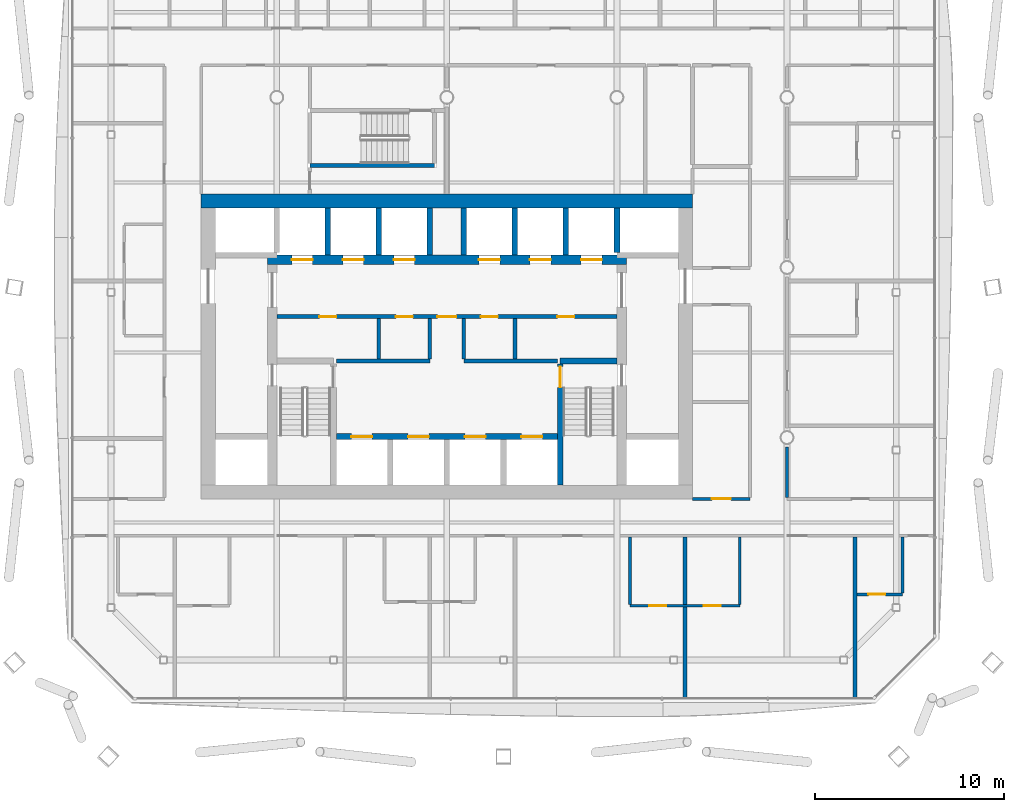
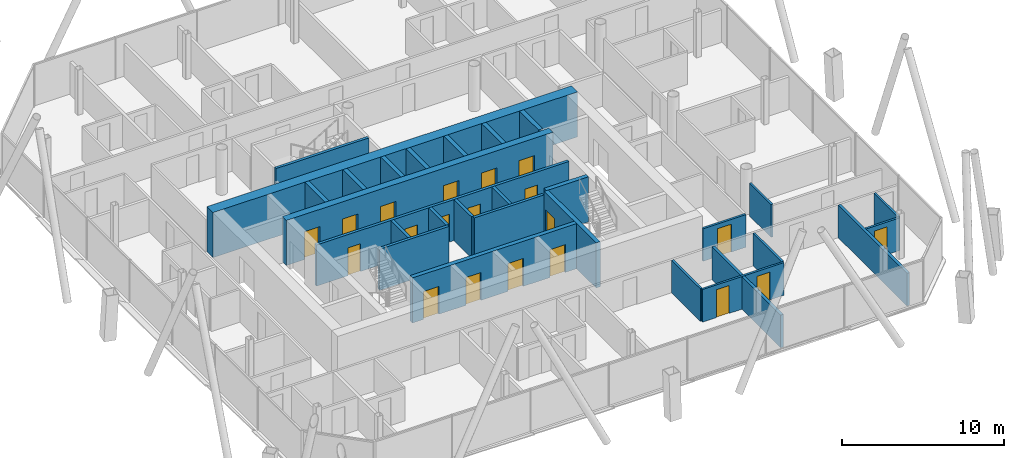
# One storey, part 15 of 23: 29 walls, 20 doors, 20 openings.
"""IFC4 building model written with IfcOpenShell, lengths in metres."""

import ifcopenshell
import ifcopenshell.guid

model = None  # the IFC model being written
_history = None  # IfcOwnerHistory: only IFC2X3 demands one
_inside = {}  # id of a spatial element -> (the spatial element, [elements in it])
_under = {}  # id of a project, library or spatial element -> (it, [spatial elements below it])
_declared = {}  # id of a project -> (the project, [libraries it declares])
_typed = {}  # id of a type object -> (the type object, [elements of that type])
_made_of = {}  # id of a material, layer set ... -> (it, [elements and type objects made of it])


def new_model(schema):
    """Start an empty IFC model of exactly this schema.

    Asked for "IFC4X3", IfcOpenShell would pick the latest addendum, in which some entities
    have other attributes; the version numbers below select the first issue.
    IFC2X3 requires an IfcOwnerHistory on every rooted entity: one is made here for all.
    """
    global model, _history
    if schema == "IFC4X3":
        model = ifcopenshell.file(schema_version=(4, 3, 0, 0))
    else:
        model = ifcopenshell.file(schema=schema)
    _inside.clear()
    _under.clear()
    _declared.clear()
    _typed.clear()
    _made_of.clear()
    _history = None
    if model.schema == "IFC2X3":
        org = make("IfcOrganization", Name="unknown")
        user = make(
            "IfcPersonAndOrganization",
            ThePerson=make("IfcPerson", FamilyName="unknown"),
            TheOrganization=org,
        )
        app = make(
            "IfcApplication",
            ApplicationDeveloper=org,
            Version="unknown",
            ApplicationFullName="unknown",
            ApplicationIdentifier="unknown",
        )
        _history = make(
            "IfcOwnerHistory",
            OwningUser=user,
            OwningApplication=app,
            ChangeAction="ADDED",
            CreationDate=0,
        )
    return model


def make(cls, **values):
    """One entity of the class cls with the attributes given. An attribute that is None is left unset."""
    return model.create_entity(
        cls, **{name: value for name, value in values.items() if value is not None}
    )


def rooted(cls, **values):
    """An entity with a GlobalId (a new one), such as an element, a storey or a relation."""
    return make(cls, GlobalId=ifcopenshell.guid.new(), OwnerHistory=_history, **values)


def si_unit(unit_type, name, prefix=None):
    """IfcSIUnit, for example si_unit("LENGTHUNIT", "METRE", prefix="MILLI")."""
    return make("IfcSIUnit", UnitType=unit_type, Prefix=prefix, Name=name)


def assignment(units):
    """IfcUnitAssignment: the units of a project."""
    return None if units is None else make("IfcUnitAssignment", Units=units)


def point(xyz):
    """IfcCartesianPoint."""
    return None if xyz is None else make("IfcCartesianPoint", Coordinates=xyz)


def direction(xyz):
    """IfcDirection."""
    return None if xyz is None else make("IfcDirection", DirectionRatios=xyz)


def frame(location, z_axis=None, x_axis=None):
    """IfcAxis2Placement3D, a coordinate frame: its origin and axes. An axis left out is left unset."""
    return make(
        "IfcAxis2Placement3D",
        Location=point(location),
        Axis=direction(z_axis),
        RefDirection=direction(x_axis),
    )


def frame_2d(location, x_axis=None):
    """IfcAxis2Placement2D, a coordinate frame in the plane: its origin and x axis."""
    return make(
        "IfcAxis2Placement2D", Location=point(location), RefDirection=direction(x_axis)
    )


def origin():
    """The frame at (0, 0, 0) with its axes left unset."""
    return frame((0.0, 0.0, 0.0))


def place(relative_to, where):
    """IfcLocalPlacement: puts the frame where relative to a parent placement (None: the world)."""
    return make(
        "IfcLocalPlacement", PlacementRelTo=relative_to, RelativePlacement=where
    )


def context(
    kind, dimensions, precision=None, world=None, true_north=None, identifier=None
):
    """IfcGeometricRepresentationContext, for example the 3D "Model" context."""
    return make(
        "IfcGeometricRepresentationContext",
        ContextIdentifier=identifier,
        ContextType=kind,
        CoordinateSpaceDimension=dimensions,
        Precision=precision,
        WorldCoordinateSystem=world,
        TrueNorth=true_north,
    )


def subcontext(parent, identifier, kind, view, scale=None):
    """IfcGeometricRepresentationSubContext, for example "Body" below "Model"."""
    return make(
        "IfcGeometricRepresentationSubContext",
        ContextIdentifier=identifier,
        ContextType=kind,
        ParentContext=parent,
        TargetScale=scale,
        TargetView=view,
    )


def project(units=None, contexts=None):
    """IfcProject with its units and contexts."""
    return rooted(
        "IfcProject",
        Name="project",
        RepresentationContexts=contexts,
        UnitsInContext=assignment(units),
    )


def spatial(cls, under=None, at=None, **own):
    """A site, building, storey or space (cls), placed at a placement, below another one or the project."""
    s = rooted(cls, ObjectPlacement=at, **own)
    if under is not None:
        _under.setdefault(under.id(), (under, []))[1].append(s)
    return s


def profile(cls, at=None, kind="AREA", **sizes):
    """A parametric profile (cls). Its sizes go by their IFC names, for example OverallWidth=200.0."""
    return make(cls, ProfileType=kind, Position=at, **sizes)


def rectangle(**sizes):
    """IfcRectangleProfileDef."""
    return profile("IfcRectangleProfileDef", **sizes)


def extrude(swept, where, along, depth):
    """IfcExtrudedAreaSolid: the profile swept, set in the frame where, extruded along a direction by depth."""
    return make(
        "IfcExtrudedAreaSolid",
        SweptArea=swept,
        Position=where,
        ExtrudedDirection=direction(along),
        Depth=depth,
    )


def shape(context_of_items, identifier, shape_type, items):
    """IfcShapeRepresentation: the items that make up one representation, for example the "Body"."""
    return make(
        "IfcShapeRepresentation",
        ContextOfItems=context_of_items,
        RepresentationIdentifier=identifier,
        RepresentationType=shape_type,
        Items=items,
    )


def material(Name=None, Category=None):
    """IfcMaterial."""
    return make("IfcMaterial", Name=Name, Category=Category)


def layer(
    of_material, thickness, ventilated=None, Name=None, Category=None, Priority=None
):
    """IfcMaterialLayer: one layer of a wall or slab, of a material (None: an air gap)."""
    return make(
        "IfcMaterialLayer",
        Material=of_material,
        LayerThickness=thickness,
        IsVentilated=ventilated,
        Name=Name,
        Category=Category,
        Priority=Priority,
    )


def layer_set(layers, Name=None):
    """IfcMaterialLayerSet."""
    return make("IfcMaterialLayerSet", MaterialLayers=layers, LayerSetName=Name)


def made_of(thing, what):
    """Note that an element or type object is made of a material, layer set ...; save() writes the relation."""
    if what is not None:
        _made_of.setdefault(what.id(), (what, []))[1].append(thing)
    return thing


def type_object(cls, material=None, **own):
    """A type object (cls), such as IfcWallType, which elements share."""
    return made_of(rooted(cls, **own), material)


def element(
    cls,
    number,
    at=None,
    inside=None,
    cuts=None,
    type_object=None,
    material=None,
    context=None,
    identifier="Body",
    shape_type=None,
    held_by="IfcProductDefinitionShape",
    body=None,
    shapes=None,
    **own,
):
    """One element of the class cls, such as IfcWall. Its Tag is "e" and its number.

    at: its placement. inside: the storey or other place that contains it. cuts: it is an
    opening in that element (IfcRelVoidsElement). A single representation is given by context,
    identifier, shape_type and body (its items); several are given by shapes. held_by: the class
    of the entity that holds the representations. save() writes the other relations.
    """
    e = rooted(cls, Tag="e%d" % number, ObjectPlacement=at, **own)
    if body is not None:
        shapes = [shape(context, identifier, shape_type, body)]
    if shapes is not None:
        e.Representation = make(held_by, Representations=shapes)
    if inside is not None:
        _inside.setdefault(inside.id(), (inside, []))[1].append(e)
    if cuts is not None:
        rooted(
            "IfcRelVoidsElement", RelatingBuildingElement=cuts, RelatedOpeningElement=e
        )
    if type_object is not None:
        _typed.setdefault(type_object.id(), (type_object, []))[1].append(e)
    return made_of(e, material)


def fill(opening, filler):
    """IfcRelFillsElement: the door or window that sits in an opening."""
    return rooted(
        "IfcRelFillsElement",
        RelatingOpeningElement=opening,
        RelatedBuildingElement=filler,
    )


def aggregate(whole, parts):
    """IfcRelAggregates: a whole, such as a stair, and the parts it consists of."""
    return rooted("IfcRelAggregates", RelatingObject=whole, RelatedObjects=parts)


def save(model, path):
    """Write the relations noted so far, then the file.

    IfcRelAggregates (storeys below a building ...), IfcRelContainedInSpatialStructure (elements
    in a storey), IfcRelDefinesByType, IfcRelAssociatesMaterial and IfcRelDeclares: one each for
    every whole, place, type object, material and project.
    """
    for whole, parts in _under.values():
        aggregate(whole, parts)
    for where, things in _inside.values():
        rooted(
            "IfcRelContainedInSpatialStructure",
            RelatedElements=things,
            RelatingStructure=where,
        )
    for kind, things in _typed.values():
        rooted("IfcRelDefinesByType", RelatedObjects=things, RelatingType=kind)
    for what, things in _made_of.values():
        rooted("IfcRelAssociatesMaterial", RelatedObjects=things, RelatingMaterial=what)
    for by, libraries in _declared.values():
        rooted("IfcRelDeclares", RelatingContext=by, RelatedDefinitions=libraries)
    model.write(path)


model = new_model("IFC4")

# Units and contexts
model_context = context("Model", 3, precision=1e-05, world=origin(), true_north=direction((0.0, 1.0)))
body_context = subcontext(model_context, "Body", "Model", "MODEL_VIEW")
ifc_project = project(units=[si_unit("LENGTHUNIT", "METRE"), si_unit("AREAUNIT", "SQUARE_METRE"), si_unit("VOLUMEUNIT", "CUBIC_METRE"), si_unit("PLANEANGLEUNIT", "RADIAN"), si_unit("MASSUNIT", "GRAM", prefix="KILO")], contexts=[model_context])

# Site, building, storey
site_placement = place(None, origin())
site = spatial("IfcSite", under=ifc_project, at=site_placement, CompositionType="ELEMENT")
building_placement = place(site_placement, origin())
building = spatial("IfcBuilding", under=site, at=building_placement, Name="Tskaro Facet Tower", CompositionType="ELEMENT")
storey_placement = place(building_placement, frame((0.0, 0.0, 131.699951171875)))
storey = spatial("IfcBuildingStorey", under=building, at=storey_placement, Name="L31", CompositionType="ELEMENT", Elevation=131.699951171875)

# Wall, openings, doors
ifc_material_1 = material(Name="Concrete C60/75", Category="concrete")
ifc_layer_1 = layer(ifc_material_1, 0.300048828125, Name="Concrete C60/75")
ifc_layer_set_1 = layer_set([ifc_layer_1], Name="Concrete C60/75")
wall_type_1 = type_object("IfcWallType", Name="CORE-SHAFT", PredefinedType="SHEAR", material=ifc_layer_set_1)
wall_1_placement = place(storey_placement, frame((-5.85009765625, -8.949951171875, 0.0), z_axis=(0.0, 0.0, 1.0), x_axis=(1.0, 0.0, 0.0)))
wall_1 = element("IfcWall", 1, at=wall_1_placement, inside=storey, type_object=wall_type_1, Name="Shaft wall W012", PredefinedType="SHEAR", context=body_context, shape_type="SweptSolid", body=[
    extrude(rectangle(XDim=11.7001953125, YDim=0.300048828125, at=frame_2d((5.85009765625, 0.0))), origin(), (0.0, 0.0, 1.0), 3.400146484375),
])
opening_1_placement = place(wall_1_placement, frame((0.800048828125, 0.0, 0.0)))
opening_1 = element("IfcOpeningElement", 2, at=opening_1_placement, cuts=wall_1, Name="Opening LD-FF1", PredefinedType="OPENING", context=body_context, shape_type="SweptSolid", body=[
    extrude(rectangle(XDim=1.10009765625, YDim=2.10009765625, at=frame_2d((0.550048828125, 1.050048828125))), frame((0.0, 0.159912109375, 0.0), z_axis=(0.0, -1.0, 0.0), x_axis=(1.0, 0.0, 0.0)), (0.0, 0.0, 1.0), 0.320068359375),
])
opening_2_placement = place(wall_1_placement, frame((3.800048828125, 0.0, 0.0)))
opening_2 = element("IfcOpeningElement", 3, at=opening_2_placement, cuts=wall_1, Name="Opening LD-FF2", PredefinedType="OPENING", context=body_context, shape_type="SweptSolid", body=[
    extrude(rectangle(XDim=1.10009765625, YDim=2.10009765625, at=frame_2d((0.550048828125, 1.050048828125))), frame((0.0, 0.159912109375, 0.0), z_axis=(0.0, -1.0, 0.0), x_axis=(1.0, 0.0, 0.0)), (0.0, 0.0, 1.0), 0.320068359375),
])
opening_3_placement = place(wall_1_placement, frame((6.800048828125, 0.0, 0.0)))
opening_3 = element("IfcOpeningElement", 4, at=opening_3_placement, cuts=wall_1, Name="Opening LD-SV1", PredefinedType="OPENING", context=body_context, shape_type="SweptSolid", body=[
    extrude(rectangle(XDim=1.10009765625, YDim=2.10009765625, at=frame_2d((0.550048828125, 1.050048828125))), frame((0.0, 0.159912109375, 0.0), z_axis=(0.0, -1.0, 0.0), x_axis=(1.0, 0.0, 0.0)), (0.0, 0.0, 1.0), 0.320068359375),
])
opening_4_placement = place(wall_1_placement, frame((9.800048828125, 0.0, 0.0)))
opening_4 = element("IfcOpeningElement", 5, at=opening_4_placement, cuts=wall_1, Name="Opening LD-SV2", PredefinedType="OPENING", context=body_context, shape_type="SweptSolid", body=[
    extrude(rectangle(XDim=1.10009765625, YDim=2.10009765625, at=frame_2d((0.550048828125, 1.050048828125))), frame((0.0, 0.159912109375, 0.0), z_axis=(0.0, -1.0, 0.0), x_axis=(1.0, 0.0, 0.0)), (0.0, 0.0, 1.0), 0.320068359375),
])
ifc_material_2 = material(Name="Stainless steel", Category="steel")
door_type_1 = type_object("IfcDoorType", Name="D-LANDING", OperationType="NOTDEFINED", PredefinedType="DOOR", material=ifc_material_2)
door_1_placement = place(opening_1_placement, origin())
door_1 = element("IfcDoor", 6, at=door_1_placement, inside=storey, type_object=door_type_1, Name="Landing door FF1", OperationType="DOUBLE_DOOR_SLIDING", OverallHeight=2.10009765625, OverallWidth=1.10009765625, PredefinedType="DOOR", context=body_context, shape_type="SweptSolid", body=[
    extrude(rectangle(XDim=1.10009765625, YDim=2.10009765625, at=frame_2d((0.550048828125, 1.050048828125))), frame((0.0, 0.02490234375, 0.0), z_axis=(0.0, -1.0, 0.0), x_axis=(1.0, 0.0, 0.0)), (0.0, 0.0, 1.0), 0.050048828125),
])
fill(opening_1, door_1)
door_2_placement = place(opening_2_placement, origin())
door_2 = element("IfcDoor", 7, at=door_2_placement, inside=storey, type_object=door_type_1, Name="Landing door FF2", OperationType="DOUBLE_DOOR_SLIDING", OverallHeight=2.10009765625, OverallWidth=1.10009765625, PredefinedType="DOOR", context=body_context, shape_type="SweptSolid", body=[
    extrude(rectangle(XDim=1.10009765625, YDim=2.10009765625, at=frame_2d((0.550048828125, 1.050048828125))), frame((0.0, 0.02490234375, 0.0), z_axis=(0.0, -1.0, 0.0), x_axis=(1.0, 0.0, 0.0)), (0.0, 0.0, 1.0), 0.050048828125),
])
fill(opening_2, door_2)
door_3_placement = place(opening_3_placement, origin())
door_3 = element("IfcDoor", 8, at=door_3_placement, inside=storey, type_object=door_type_1, Name="Landing door SV1", OperationType="DOUBLE_DOOR_SLIDING", OverallHeight=2.10009765625, OverallWidth=1.10009765625, PredefinedType="DOOR", context=body_context, shape_type="SweptSolid", body=[
    extrude(rectangle(XDim=1.10009765625, YDim=2.10009765625, at=frame_2d((0.550048828125, 1.050048828125))), frame((0.0, 0.02490234375, 0.0), z_axis=(0.0, -1.0, 0.0), x_axis=(1.0, 0.0, 0.0)), (0.0, 0.0, 1.0), 0.050048828125),
])
fill(opening_3, door_3)
door_4_placement = place(opening_4_placement, origin())
door_4 = element("IfcDoor", 9, at=door_4_placement, inside=storey, type_object=door_type_1, Name="Landing door SV2", OperationType="DOUBLE_DOOR_SLIDING", OverallHeight=2.10009765625, OverallWidth=1.10009765625, PredefinedType="DOOR", context=body_context, shape_type="SweptSolid", body=[
    extrude(rectangle(XDim=1.10009765625, YDim=2.10009765625, at=frame_2d((0.550048828125, 1.050048828125))), frame((0.0, 0.02490234375, 0.0), z_axis=(0.0, -1.0, 0.0), x_axis=(1.0, 0.0, 0.0)), (0.0, 0.0, 1.0), 0.050048828125),
])
fill(opening_4, door_4)

# Walls
wall_2_placement = place(storey_placement, frame((6.0, -4.949951171875, 0.0), z_axis=(0.0, 0.0, 1.0), x_axis=(1.0, 0.0, 0.0)))
element("IfcWall", 10, at=wall_2_placement, inside=storey, type_object=wall_type_1, Name="Shaft wall W019", PredefinedType="SHEAR", context=body_context, shape_type="SweptSolid", body=[
    extrude(rectangle(XDim=3.0, YDim=0.300048828125, at=frame_2d((1.5, 0.0))), origin(), (0.0, 0.0, 1.0), 3.400146484375),
])
for number, where, z_axis, x_axis, name in (
    (11, (-6.300048828125, 0.64990234375, 0.0), (0.0, 0.0, 1.0), (0.0, 1.0, 0.0), "Shaft wall W065"),
    (12, (-3.60009765625, 0.64990234375, 0.0), (0.0, 0.0, 1.0), (0.0, 1.0, 0.0), "Shaft wall W071"),
    (13, (-0.89990234375, 0.64990234375, 0.0), (0.0, 0.0, 1.0), (0.0, 1.0, 0.0), "Shaft wall W077"),
    (14, (0.89990234375, 0.64990234375, 0.0), (0.0, 0.0, 1.0), (0.0, 1.0, 0.0), "Shaft wall W083"),
    (15, (3.60009765625, 0.64990234375, 0.0), (0.0, 0.0, 1.0), (0.0, 1.0, 0.0), "Shaft wall W088"),
):
    element("IfcWall", number, at=place(storey_placement, frame(where, z_axis=z_axis, x_axis=x_axis)), inside=storey, type_object=wall_type_1, Name=name, PredefinedType="SHEAR", context=body_context, shape_type="SweptSolid", body=[
        extrude(rectangle(XDim=2.5, YDim=0.300048828125, at=frame_2d((1.25, 0.0))), origin(), (0.0, 0.0, 1.0), 3.400146484375),
    ])

# Wall, opening, door
wall_3_placement = place(storey_placement, frame((6.0, -5.10009765625, 0.0), z_axis=(0.0, 0.0, 1.0), x_axis=(0.0, -1.0, 0.0)))
wall_3 = element("IfcWall", 16, at=wall_3_placement, inside=storey, type_object=wall_type_1, Name="Shaft wall W090", PredefinedType="SHEAR", context=body_context, shape_type="SweptSolid", body=[
    extrude(rectangle(XDim=6.39990234375, YDim=0.300048828125, at=frame_2d((3.199951171875, 0.0))), origin(), (0.0, 0.0, 1.0), 3.400146484375),
])
opening_5_placement = place(wall_3_placement, frame((0.14990234375, 0.0, 0.0)))
opening_5 = element("IfcOpeningElement", 17, at=opening_5_placement, cuts=wall_3, Name="Opening ST-2-D1", PredefinedType="OPENING", context=body_context, shape_type="SweptSolid", body=[
    extrude(rectangle(XDim=1.10009765625, YDim=2.10009765625, at=frame_2d((0.550048828125, 1.050048828125))), frame((0.0, 0.159912109375, 0.0), z_axis=(0.0, -1.0, 0.0), x_axis=(1.0, 0.0, 0.0)), (0.0, 0.0, 1.0), 0.320068359375),
])
ifc_material_3 = material(Name="Steel", Category="steel")
door_type_2 = type_object("IfcDoorType", Name="D-STAIR", OperationType="NOTDEFINED", PredefinedType="DOOR", material=ifc_material_3)
door_5_placement = place(opening_5_placement, origin())
door_5 = element("IfcDoor", 18, at=door_5_placement, inside=storey, type_object=door_type_2, Name="Stair door 2", OperationType="SINGLE_SWING_RIGHT", OverallHeight=2.10009765625, OverallWidth=1.10009765625, PredefinedType="DOOR", context=body_context, shape_type="SweptSolid", body=[
    extrude(rectangle(XDim=1.10009765625, YDim=2.10009765625, at=frame_2d((0.550048828125, 1.050048828125))), frame((0.0, 0.02490234375, 0.0), z_axis=(0.0, -1.0, 0.0), x_axis=(1.0, 0.0, 0.0)), (0.0, 0.0, 1.0), 0.050048828125),
])
fill(opening_5, door_5)

# Walls
wall_4_placement = place(storey_placement, frame((6.300048828125, 0.64990234375, 0.0), z_axis=(0.0, 0.0, 1.0), x_axis=(0.0, 1.0, 0.0)))
element("IfcWall", 19, at=wall_4_placement, inside=storey, type_object=wall_type_1, Name="Shaft wall W091", PredefinedType="SHEAR", context=body_context, shape_type="SweptSolid", body=[
    extrude(rectangle(XDim=2.5, YDim=0.300048828125, at=frame_2d((1.25, 0.0))), origin(), (0.0, 0.0, 1.0), 3.400146484375),
])
wall_5_placement = place(storey_placement, frame((9.0, 0.800048828125, 0.0), z_axis=(0.0, 0.0, 1.0), x_axis=(0.0, 1.0, 0.0)))
element("IfcWall", 20, at=wall_5_placement, inside=storey, type_object=wall_type_1, Name="Shaft wall W093", PredefinedType="SHEAR", context=body_context, shape_type="SweptSolid", body=[
    extrude(rectangle(XDim=2.349853515625, YDim=0.300048828125, at=frame_2d((1.1748046875, 0.0))), origin(), (0.0, 0.0, 1.0), 3.400146484375),
])
ifc_material_4 = material(Name="Concrete C20/25", Category="concrete")
ifc_layer_2 = layer(ifc_material_4, 0.199951171875, Name="Concrete C20/25")
ifc_layer_set_2 = layer_set([ifc_layer_2], Name="Concrete C20/25")
wall_type_2 = type_object("IfcWallType", Name="CORE-WALL", PredefinedType="SOLIDWALL", material=ifc_layer_set_2)
for number, where, z_axis, x_axis, name in (
    (21, (-5.85009765625, -4.949951171875, 0.0), (0.0, 0.0, 1.0), (1.0, 0.0, 0.0), "Core room wall W017"),
    (22, (0.89990234375, -4.949951171875, 0.0), (0.0, 0.0, 1.0), (1.0, 0.0, 0.0), "Core room wall W018"),
):
    element("IfcWall", number, at=place(storey_placement, frame(where, z_axis=z_axis, x_axis=x_axis)), inside=storey, type_object=wall_type_2, Name=name, PredefinedType="SOLIDWALL", context=body_context, shape_type="SweptSolid", body=[
        extrude(rectangle(XDim=4.9501953125, YDim=0.199951171875, at=frame_2d((2.47509765625, 0.0))), origin(), (0.0, 0.0, 1.0), 3.10009765625),
    ])

# Wall, openings, doors
wall_6_placement = place(storey_placement, frame((9.0, -2.60009765625, 0.0), z_axis=(0.0, 0.0, 1.0), x_axis=(-1.0, 0.0, 0.0)))
wall_6 = element("IfcWall", 23, at=wall_6_placement, inside=storey, type_object=wall_type_2, Name="Core room wall W022", PredefinedType="SOLIDWALL", context=body_context, shape_type="SweptSolid", body=[
    extrude(rectangle(XDim=18.0, YDim=0.199951171875, at=frame_2d((9.0, 0.0))), origin(), (0.0, 0.0, 1.0), 3.10009765625),
])
opening_6_placement = place(wall_6_placement, frame((8.5, 0.0, 0.0)))
opening_6 = element("IfcOpeningElement", 24, at=opening_6_placement, cuts=wall_6, Name="Opening FL-D1", PredefinedType="OPENING", context=body_context, shape_type="SweptSolid", body=[
    extrude(rectangle(XDim=1.0, YDim=2.10009765625, at=frame_2d((0.5, 1.050048828125))), frame((0.0, 0.10986328125, 0.0), z_axis=(0.0, -1.0, 0.0), x_axis=(1.0, 0.0, 0.0)), (0.0, 0.0, 1.0), 0.219970703125),
])
opening_7_placement = place(wall_6_placement, frame((14.85009765625, 0.0, 0.0)))
opening_7 = element("IfcOpeningElement", 25, at=opening_7_placement, cuts=wall_6, Name="Opening T9-D22", PredefinedType="OPENING", context=body_context, shape_type="SweptSolid", body=[
    extrude(rectangle(XDim=0.89990234375, YDim=2.10009765625, at=frame_2d((0.449951171875, 1.050048828125))), frame((0.0, 0.10986328125, 0.0), z_axis=(0.0, -1.0, 0.0), x_axis=(1.0, 0.0, 0.0)), (0.0, 0.0, 1.0), 0.219970703125),
])
opening_8_placement = place(wall_6_placement, frame((10.800048828125, 0.0, 0.0)))
opening_8 = element("IfcOpeningElement", 26, at=opening_8_placement, cuts=wall_6, Name="Opening T9-D23", PredefinedType="OPENING", context=body_context, shape_type="SweptSolid", body=[
    extrude(rectangle(XDim=0.89990234375, YDim=2.10009765625, at=frame_2d((0.449951171875, 1.050048828125))), frame((0.0, 0.10986328125, 0.0), z_axis=(0.0, -1.0, 0.0), x_axis=(1.0, 0.0, 0.0)), (0.0, 0.0, 1.0), 0.219970703125),
])
opening_9_placement = place(wall_6_placement, frame((6.300048828125, 0.0, 0.0)))
opening_9 = element("IfcOpeningElement", 27, at=opening_9_placement, cuts=wall_6, Name="Opening T9-D24", PredefinedType="OPENING", context=body_context, shape_type="SweptSolid", body=[
    extrude(rectangle(XDim=0.89990234375, YDim=2.10009765625, at=frame_2d((0.449951171875, 1.050048828125))), frame((0.0, 0.10986328125, 0.0), z_axis=(0.0, -1.0, 0.0), x_axis=(1.0, 0.0, 0.0)), (0.0, 0.0, 1.0), 0.219970703125),
])
opening_10_placement = place(wall_6_placement, frame((2.25, 0.0, 0.0)))
opening_10 = element("IfcOpeningElement", 28, at=opening_10_placement, cuts=wall_6, Name="Opening T9-D25", PredefinedType="OPENING", context=body_context, shape_type="SweptSolid", body=[
    extrude(rectangle(XDim=0.89990234375, YDim=2.10009765625, at=frame_2d((0.449951171875, 1.050048828125))), frame((0.0, 0.10986328125, 0.0), z_axis=(0.0, -1.0, 0.0), x_axis=(1.0, 0.0, 0.0)), (0.0, 0.0, 1.0), 0.219970703125),
])
door_type_3 = type_object("IfcDoorType", Name="D-LOBBY", OperationType="NOTDEFINED", PredefinedType="DOOR", material=ifc_material_3)
door_6_placement = place(opening_6_placement, origin())
door_6 = element("IfcDoor", 29, at=door_6_placement, inside=storey, type_object=door_type_3, Name="Lobby door FL", OperationType="SINGLE_SWING_RIGHT", OverallHeight=2.10009765625, OverallWidth=1.0, PredefinedType="DOOR", context=body_context, shape_type="SweptSolid", body=[
    extrude(rectangle(XDim=1.0, YDim=2.10009765625, at=frame_2d((0.5, 1.050048828125))), frame((0.0, 0.02490234375, 0.0), z_axis=(0.0, -1.0, 0.0), x_axis=(1.0, 0.0, 0.0)), (0.0, 0.0, 1.0), 0.050048828125),
])
fill(opening_6, door_6)
ifc_material_5 = material(Name="Timber", Category="wood")
door_type_4 = type_object("IfcDoorType", Name="D-ROOM", OperationType="NOTDEFINED", PredefinedType="DOOR", material=ifc_material_5)
door_7_placement = place(opening_7_placement, origin())
door_7 = element("IfcDoor", 30, at=door_7_placement, inside=storey, type_object=door_type_4, Name="Door T9-D22", OperationType="SINGLE_SWING_RIGHT", OverallHeight=2.10009765625, OverallWidth=0.89990234375, PredefinedType="DOOR", context=body_context, shape_type="SweptSolid", body=[
    extrude(rectangle(XDim=0.89990234375, YDim=2.10009765625, at=frame_2d((0.449951171875, 1.050048828125))), frame((0.0, 0.02490234375, 0.0), z_axis=(0.0, -1.0, 0.0), x_axis=(1.0, 0.0, 0.0)), (0.0, 0.0, 1.0), 0.050048828125),
])
fill(opening_7, door_7)
door_8_placement = place(opening_8_placement, origin())
door_8 = element("IfcDoor", 31, at=door_8_placement, inside=storey, type_object=door_type_4, Name="Door T9-D23", OperationType="SINGLE_SWING_RIGHT", OverallHeight=2.10009765625, OverallWidth=0.89990234375, PredefinedType="DOOR", context=body_context, shape_type="SweptSolid", body=[
    extrude(rectangle(XDim=0.89990234375, YDim=2.10009765625, at=frame_2d((0.449951171875, 1.050048828125))), frame((0.0, 0.02490234375, 0.0), z_axis=(0.0, -1.0, 0.0), x_axis=(1.0, 0.0, 0.0)), (0.0, 0.0, 1.0), 0.050048828125),
])
fill(opening_8, door_8)
door_9_placement = place(opening_9_placement, origin())
door_9 = element("IfcDoor", 32, at=door_9_placement, inside=storey, type_object=door_type_4, Name="Door T9-D24", OperationType="SINGLE_SWING_RIGHT", OverallHeight=2.10009765625, OverallWidth=0.89990234375, PredefinedType="DOOR", context=body_context, shape_type="SweptSolid", body=[
    extrude(rectangle(XDim=0.89990234375, YDim=2.10009765625, at=frame_2d((0.449951171875, 1.050048828125))), frame((0.0, 0.02490234375, 0.0), z_axis=(0.0, -1.0, 0.0), x_axis=(1.0, 0.0, 0.0)), (0.0, 0.0, 1.0), 0.050048828125),
])
fill(opening_9, door_9)
door_10_placement = place(opening_10_placement, origin())
door_10 = element("IfcDoor", 33, at=door_10_placement, inside=storey, type_object=door_type_4, Name="Door T9-D25", OperationType="SINGLE_SWING_RIGHT", OverallHeight=2.10009765625, OverallWidth=0.89990234375, PredefinedType="DOOR", context=body_context, shape_type="SweptSolid", body=[
    extrude(rectangle(XDim=0.89990234375, YDim=2.10009765625, at=frame_2d((0.449951171875, 1.050048828125))), frame((0.0, 0.02490234375, 0.0), z_axis=(0.0, -1.0, 0.0), x_axis=(1.0, 0.0, 0.0)), (0.0, 0.0, 1.0), 0.050048828125),
])
fill(opening_10, door_10)

# Walls
for number, where, z_axis, x_axis, name in (
    (34, (-3.60009765625, -4.85009765625, 0.0), (0.0, 0.0, 1.0), (0.0, 1.0, 0.0), "Core room wall W070"),
    (35, (-0.89990234375, -4.85009765625, 0.0), (0.0, 0.0, 1.0), (0.0, 1.0, 0.0), "Core room wall W076"),
    (36, (0.89990234375, -4.85009765625, 0.0), (0.0, 0.0, 1.0), (0.0, 1.0, 0.0), "Core room wall W082"),
    (37, (3.60009765625, -4.85009765625, 0.0), (0.0, 0.0, 1.0), (0.0, 1.0, 0.0), "Core room wall W087"),
):
    element("IfcWall", number, at=place(storey_placement, frame(where, z_axis=z_axis, x_axis=x_axis)), inside=storey, type_object=wall_type_2, Name=name, PredefinedType="SOLIDWALL", context=body_context, shape_type="SweptSolid", body=[
        extrude(rectangle(XDim=2.150146484375, YDim=0.199951171875, at=frame_2d((1.0751953125, 0.0))), origin(), (0.0, 0.0, 1.0), 3.10009765625),
    ])

# Wall, openings, doors
ifc_material_6 = material(Name="Concrete C40/50", Category="concrete")
ifc_layer_3 = layer(ifc_material_6, 0.5, Name="Concrete C40/50")
ifc_layer_set_3 = layer_set([ifc_layer_3], Name="Concrete C40/50")
wall_type_3 = type_object("IfcWallType", Name="Core wall 500", PredefinedType="SHEAR", material=ifc_layer_set_3)
wall_7_placement = place(storey_placement, frame((-9.5, 0.39990234375, 0.0), z_axis=(0.0, 0.0, 1.0), x_axis=(1.0, 0.0, 0.0)))
wall_7 = element("IfcWall", 38, at=wall_7_placement, inside=storey, type_object=wall_type_3, Name="Core wall CW-Z3N", PredefinedType="SHEAR", context=body_context, shape_type="SweptSolid", body=[
    extrude(rectangle(XDim=19.0, YDim=0.5, at=frame_2d((9.5, 0.0))), origin(), (0.0, 0.0, 1.0), 3.400146484375),
])
opening_11_placement = place(wall_7_placement, frame((1.300048828125, 0.0, 0.0)))
opening_11 = element("IfcOpeningElement", 39, at=opening_11_placement, cuts=wall_7, Name="Opening LD-MB1", PredefinedType="OPENING", context=body_context, shape_type="SweptSolid", body=[
    extrude(rectangle(XDim=1.10009765625, YDim=2.10009765625, at=frame_2d((0.550048828125, 1.050048828125))), frame((0.0, 0.260009765625, 0.0), z_axis=(0.0, -1.0, 0.0), x_axis=(1.0, 0.0, 0.0)), (0.0, 0.0, 1.0), 0.52001953125),
])
opening_12_placement = place(wall_7_placement, frame((4.0, 0.0, 0.0)))
opening_12 = element("IfcOpeningElement", 40, at=opening_12_placement, cuts=wall_7, Name="Opening LD-MB2", PredefinedType="OPENING", context=body_context, shape_type="SweptSolid", body=[
    extrude(rectangle(XDim=1.10009765625, YDim=2.10009765625, at=frame_2d((0.550048828125, 1.050048828125))), frame((0.0, 0.260009765625, 0.0), z_axis=(0.0, -1.0, 0.0), x_axis=(1.0, 0.0, 0.0)), (0.0, 0.0, 1.0), 0.52001953125),
])
opening_13_placement = place(wall_7_placement, frame((6.699951171875, 0.0, 0.0)))
opening_13 = element("IfcOpeningElement", 41, at=opening_13_placement, cuts=wall_7, Name="Opening LD-MB3", PredefinedType="OPENING", context=body_context, shape_type="SweptSolid", body=[
    extrude(rectangle(XDim=1.10009765625, YDim=2.10009765625, at=frame_2d((0.550048828125, 1.050048828125))), frame((0.0, 0.260009765625, 0.0), z_axis=(0.0, -1.0, 0.0), x_axis=(1.0, 0.0, 0.0)), (0.0, 0.0, 1.0), 0.52001953125),
])
opening_14_placement = place(wall_7_placement, frame((11.199951171875, 0.0, 0.0)))
opening_14 = element("IfcOpeningElement", 42, at=opening_14_placement, cuts=wall_7, Name="Opening LD-MB4", PredefinedType="OPENING", context=body_context, shape_type="SweptSolid", body=[
    extrude(rectangle(XDim=1.10009765625, YDim=2.10009765625, at=frame_2d((0.550048828125, 1.050048828125))), frame((0.0, 0.260009765625, 0.0), z_axis=(0.0, -1.0, 0.0), x_axis=(1.0, 0.0, 0.0)), (0.0, 0.0, 1.0), 0.52001953125),
])
opening_15_placement = place(wall_7_placement, frame((13.89990234375, 0.0, 0.0)))
opening_15 = element("IfcOpeningElement", 43, at=opening_15_placement, cuts=wall_7, Name="Opening LD-MB5", PredefinedType="OPENING", context=body_context, shape_type="SweptSolid", body=[
    extrude(rectangle(XDim=1.10009765625, YDim=2.10009765625, at=frame_2d((0.550048828125, 1.050048828125))), frame((0.0, 0.260009765625, 0.0), z_axis=(0.0, -1.0, 0.0), x_axis=(1.0, 0.0, 0.0)), (0.0, 0.0, 1.0), 0.52001953125),
])
opening_16_placement = place(wall_7_placement, frame((16.60009765625, 0.0, 0.0)))
opening_16 = element("IfcOpeningElement", 44, at=opening_16_placement, cuts=wall_7, Name="Opening LD-MB6", PredefinedType="OPENING", context=body_context, shape_type="SweptSolid", body=[
    extrude(rectangle(XDim=1.10009765625, YDim=2.10009765625, at=frame_2d((0.550048828125, 1.050048828125))), frame((0.0, 0.260009765625, 0.0), z_axis=(0.0, -1.0, 0.0), x_axis=(1.0, 0.0, 0.0)), (0.0, 0.0, 1.0), 0.52001953125),
])
door_11_placement = place(opening_11_placement, origin())
door_11 = element("IfcDoor", 45, at=door_11_placement, inside=storey, type_object=door_type_1, Name="Landing door MB1", OperationType="DOUBLE_DOOR_SLIDING", OverallHeight=2.10009765625, OverallWidth=1.10009765625, PredefinedType="DOOR", context=body_context, shape_type="SweptSolid", body=[
    extrude(rectangle(XDim=1.10009765625, YDim=2.10009765625, at=frame_2d((0.550048828125, 1.050048828125))), frame((0.0, 0.02490234375, 0.0), z_axis=(0.0, -1.0, 0.0), x_axis=(1.0, 0.0, 0.0)), (0.0, 0.0, 1.0), 0.050048828125),
])
fill(opening_11, door_11)
door_12_placement = place(opening_12_placement, origin())
door_12 = element("IfcDoor", 46, at=door_12_placement, inside=storey, type_object=door_type_1, Name="Landing door MB2", OperationType="DOUBLE_DOOR_SLIDING", OverallHeight=2.10009765625, OverallWidth=1.10009765625, PredefinedType="DOOR", context=body_context, shape_type="SweptSolid", body=[
    extrude(rectangle(XDim=1.10009765625, YDim=2.10009765625, at=frame_2d((0.550048828125, 1.050048828125))), frame((0.0, 0.02490234375, 0.0), z_axis=(0.0, -1.0, 0.0), x_axis=(1.0, 0.0, 0.0)), (0.0, 0.0, 1.0), 0.050048828125),
])
fill(opening_12, door_12)
door_13_placement = place(opening_13_placement, origin())
door_13 = element("IfcDoor", 47, at=door_13_placement, inside=storey, type_object=door_type_1, Name="Landing door MB3", OperationType="DOUBLE_DOOR_SLIDING", OverallHeight=2.10009765625, OverallWidth=1.10009765625, PredefinedType="DOOR", context=body_context, shape_type="SweptSolid", body=[
    extrude(rectangle(XDim=1.10009765625, YDim=2.10009765625, at=frame_2d((0.550048828125, 1.050048828125))), frame((0.0, 0.02490234375, 0.0), z_axis=(0.0, -1.0, 0.0), x_axis=(1.0, 0.0, 0.0)), (0.0, 0.0, 1.0), 0.050048828125),
])
fill(opening_13, door_13)
door_14_placement = place(opening_14_placement, origin())
door_14 = element("IfcDoor", 48, at=door_14_placement, inside=storey, type_object=door_type_1, Name="Landing door MB4", OperationType="DOUBLE_DOOR_SLIDING", OverallHeight=2.10009765625, OverallWidth=1.10009765625, PredefinedType="DOOR", context=body_context, shape_type="SweptSolid", body=[
    extrude(rectangle(XDim=1.10009765625, YDim=2.10009765625, at=frame_2d((0.550048828125, 1.050048828125))), frame((0.0, 0.02490234375, 0.0), z_axis=(0.0, -1.0, 0.0), x_axis=(1.0, 0.0, 0.0)), (0.0, 0.0, 1.0), 0.050048828125),
])
fill(opening_14, door_14)
door_15_placement = place(opening_15_placement, origin())
door_15 = element("IfcDoor", 49, at=door_15_placement, inside=storey, type_object=door_type_1, Name="Landing door MB5", OperationType="DOUBLE_DOOR_SLIDING", OverallHeight=2.10009765625, OverallWidth=1.10009765625, PredefinedType="DOOR", context=body_context, shape_type="SweptSolid", body=[
    extrude(rectangle(XDim=1.10009765625, YDim=2.10009765625, at=frame_2d((0.550048828125, 1.050048828125))), frame((0.0, 0.02490234375, 0.0), z_axis=(0.0, -1.0, 0.0), x_axis=(1.0, 0.0, 0.0)), (0.0, 0.0, 1.0), 0.050048828125),
])
fill(opening_15, door_15)
door_16_placement = place(opening_16_placement, origin())
door_16 = element("IfcDoor", 50, at=door_16_placement, inside=storey, type_object=door_type_1, Name="Landing door MB6", OperationType="DOUBLE_DOOR_SLIDING", OverallHeight=2.10009765625, OverallWidth=1.10009765625, PredefinedType="DOOR", context=body_context, shape_type="SweptSolid", body=[
    extrude(rectangle(XDim=1.10009765625, YDim=2.10009765625, at=frame_2d((0.550048828125, 1.050048828125))), frame((0.0, 0.02490234375, 0.0), z_axis=(0.0, -1.0, 0.0), x_axis=(1.0, 0.0, 0.0)), (0.0, 0.0, 1.0), 0.050048828125),
])
fill(opening_16, door_16)

# Wall
ifc_material_7 = material(Name="Concrete C50/60", Category="concrete")
ifc_layer_4 = layer(ifc_material_7, 0.75, Name="Concrete C50/60")
ifc_layer_set_4 = layer_set([ifc_layer_4], Name="Concrete C50/60")
wall_type_4 = type_object("IfcWallType", Name="Core wall 750", PredefinedType="SHEAR", material=ifc_layer_set_4)
wall_8_placement = place(storey_placement, frame((-13.0, 3.52490234375, 0.0), z_axis=(0.0, 0.0, 1.0), x_axis=(1.0, 0.0, 0.0)))
element("IfcWall", 51, at=wall_8_placement, inside=storey, type_object=wall_type_4, Name="Core wall CW-Z2N", PredefinedType="SHEAR", context=body_context, shape_type="SweptSolid", body=[
    extrude(rectangle(XDim=26.0, YDim=0.75, at=frame_2d((13.0, 0.0))), origin(), (0.0, 0.0, 1.0), 3.400146484375),
])

# Wall, openings, doors
ifc_material_8 = material(Name="Gypsum board on steel studs", Category="steel")
ifc_layer_5 = layer(ifc_material_8, 0.14990234375, Name="Gypsum board on steel studs")
ifc_layer_set_5 = layer_set([ifc_layer_5], Name="Gypsum board on steel studs")
wall_type_5 = type_object("IfcWallType", Name="PART-CORR", PredefinedType="PARTITIONING", material=ifc_layer_set_5)
wall_9_placement = place(storey_placement, frame((9.699951171875, -17.89990234375, 0.0), z_axis=(0.0, 0.0, 1.0), x_axis=(1.0, 0.0, 0.0)))
wall_9 = element("IfcWall", 52, at=wall_9_placement, inside=storey, type_object=wall_type_5, Name="Corridor wall W002", PredefinedType="PARTITIONING", context=body_context, shape_type="SweptSolid", body=[
    extrude(rectangle(XDim=5.800048828125, YDim=0.14990234375, at=frame_2d((2.89990234375, 0.0))), origin(), (0.0, 0.0, 1.0), 2.4599609375),
])
opening_17_placement = place(wall_9_placement, frame((1.0, 0.0, 0.0)))
opening_17 = element("IfcOpeningElement", 53, at=opening_17_placement, cuts=wall_9, Name="Opening T9-D02", PredefinedType="OPENING", context=body_context, shape_type="SweptSolid", body=[
    extrude(rectangle(XDim=0.89990234375, YDim=2.10009765625, at=frame_2d((0.449951171875, 1.050048828125))), frame((0.0, 0.0849609375, 0.0), z_axis=(0.0, -1.0, 0.0), x_axis=(1.0, 0.0, 0.0)), (0.0, 0.0, 1.0), 0.169921875),
])
opening_18_placement = place(wall_9_placement, frame((3.89990234375, 0.0, 0.0)))
opening_18 = element("IfcOpeningElement", 54, at=opening_18_placement, cuts=wall_9, Name="Opening T9-D03", PredefinedType="OPENING", context=body_context, shape_type="SweptSolid", body=[
    extrude(rectangle(XDim=0.89990234375, YDim=2.10009765625, at=frame_2d((0.449951171875, 1.050048828125))), frame((0.0, 0.0849609375, 0.0), z_axis=(0.0, -1.0, 0.0), x_axis=(1.0, 0.0, 0.0)), (0.0, 0.0, 1.0), 0.169921875),
])
door_17_placement = place(opening_17_placement, origin())
door_17 = element("IfcDoor", 55, at=door_17_placement, inside=storey, type_object=door_type_4, Name="Door T9-D02", OperationType="SINGLE_SWING_LEFT", OverallHeight=2.10009765625, OverallWidth=0.89990234375, PredefinedType="DOOR", context=body_context, shape_type="SweptSolid", body=[
    extrude(rectangle(XDim=0.89990234375, YDim=2.10009765625, at=frame_2d((0.449951171875, 1.050048828125))), frame((0.0, 0.02490234375, 0.0), z_axis=(0.0, -1.0, 0.0), x_axis=(1.0, 0.0, 0.0)), (0.0, 0.0, 1.0), 0.050048828125),
])
fill(opening_17, door_17)
door_18_placement = place(opening_18_placement, origin())
door_18 = element("IfcDoor", 56, at=door_18_placement, inside=storey, type_object=door_type_4, Name="Door T9-D03", OperationType="SINGLE_SWING_LEFT", OverallHeight=2.10009765625, OverallWidth=0.89990234375, PredefinedType="DOOR", context=body_context, shape_type="SweptSolid", body=[
    extrude(rectangle(XDim=0.89990234375, YDim=2.10009765625, at=frame_2d((0.449951171875, 1.050048828125))), frame((0.0, 0.02490234375, 0.0), z_axis=(0.0, -1.0, 0.0), x_axis=(1.0, 0.0, 0.0)), (0.0, 0.0, 1.0), 0.050048828125),
])
fill(opening_18, door_18)

# Wall, opening, door
wall_10_placement = place(storey_placement, frame((21.698974609375, -17.300048828125, 0.0), z_axis=(0.0, 0.0, 1.0), x_axis=(1.0, 0.0, 0.0)))
wall_10 = element("IfcWall", 57, at=wall_10_placement, inside=storey, type_object=wall_type_5, Name="Corridor wall W005", PredefinedType="PARTITIONING", context=body_context, shape_type="SweptSolid", body=[
    extrude(rectangle(XDim=2.419921875, YDim=0.14990234375, at=frame_2d((1.2099609375, 0.0))), origin(), (0.0, 0.0, 1.0), 2.4599609375),
])
opening_19_placement = place(wall_10_placement, frame((0.610107421875, 0.0, 0.0)))
opening_19 = element("IfcOpeningElement", 58, at=opening_19_placement, cuts=wall_10, Name="Opening T9-D07", PredefinedType="OPENING", context=body_context, shape_type="SweptSolid", body=[
    extrude(rectangle(XDim=0.89990234375, YDim=2.10009765625, at=frame_2d((0.449951171875, 1.050048828125))), frame((0.0, 0.0849609375, 0.0), z_axis=(0.0, -1.0, 0.0), x_axis=(1.0, 0.0, 0.0)), (0.0, 0.0, 1.0), 0.169921875),
])
door_19_placement = place(opening_19_placement, origin())
door_19 = element("IfcDoor", 59, at=door_19_placement, inside=storey, type_object=door_type_4, Name="Door T9-D07", OperationType="SINGLE_SWING_LEFT", OverallHeight=2.10009765625, OverallWidth=0.89990234375, PredefinedType="DOOR", context=body_context, shape_type="SweptSolid", body=[
    extrude(rectangle(XDim=0.89990234375, YDim=2.10009765625, at=frame_2d((0.449951171875, 1.050048828125))), frame((0.0, 0.02490234375, 0.0), z_axis=(0.0, -1.0, 0.0), x_axis=(1.0, 0.0, 0.0)), (0.0, 0.0, 1.0), 0.050048828125),
])
fill(opening_19, door_19)

wall_11_placement = place(storey_placement, frame((13.0, -12.25, 0.0), z_axis=(0.0, 0.0, 1.0), x_axis=(1.0, 0.0, 0.0)))
wall_11 = element("IfcWall", 60, at=wall_11_placement, inside=storey, type_object=wall_type_5, Name="Corridor wall W008", PredefinedType="PARTITIONING", context=body_context, shape_type="SweptSolid", body=[
    extrude(rectangle(XDim=3.050048828125, YDim=0.14990234375, at=frame_2d((1.52490234375, 0.0))), origin(), (0.0, 0.0, 1.0), 2.4599609375),
])
opening_20_placement = place(wall_11_placement, frame((1.02490234375, 0.0, 0.0)))
opening_20 = element("IfcOpeningElement", 61, at=opening_20_placement, cuts=wall_11, Name="Opening T9-D16", PredefinedType="OPENING", context=body_context, shape_type="SweptSolid", body=[
    extrude(rectangle(XDim=1.0, YDim=2.10009765625, at=frame_2d((0.5, 1.050048828125))), frame((0.0, 0.0849609375, 0.0), z_axis=(0.0, -1.0, 0.0), x_axis=(1.0, 0.0, 0.0)), (0.0, 0.0, 1.0), 0.169921875),
])
door_type_5 = type_object("IfcDoorType", Name="D-ROOM-WIDE", OperationType="NOTDEFINED", PredefinedType="DOOR", material=ifc_material_5)
door_20_placement = place(opening_20_placement, origin())
door_20 = element("IfcDoor", 62, at=door_20_placement, inside=storey, type_object=door_type_5, Name="Door T9-D16", OperationType="SINGLE_SWING_LEFT", OverallHeight=2.10009765625, OverallWidth=1.0, PredefinedType="DOOR", context=body_context, shape_type="SweptSolid", body=[
    extrude(rectangle(XDim=1.0, YDim=2.10009765625, at=frame_2d((0.5, 1.050048828125))), frame((0.0, 0.02490234375, 0.0), z_axis=(0.0, -1.0, 0.0), x_axis=(1.0, 0.0, 0.0)), (0.0, 0.0, 1.0), 0.050048828125),
])
fill(opening_20, door_20)

# Walls
for number, where, z_axis, x_axis, name in (
    (63, (9.699951171875, -17.824951171875, 0.0), (0.0, 0.0, 1.0), (0.0, 1.0, 0.0), "Corridor wall W094"),
    (64, (15.5, -17.824951171875, 0.0), (0.0, 0.0, 1.0), (0.0, 1.0, 0.0), "Corridor wall W101"),
):
    element("IfcWall", number, at=place(storey_placement, frame(where, z_axis=z_axis, x_axis=x_axis)), inside=storey, type_object=wall_type_5, Name=name, PredefinedType="PARTITIONING", context=body_context, shape_type="SweptSolid", body=[
        extrude(rectangle(XDim=3.550048828125, YDim=0.14990234375, at=frame_2d((1.77490234375, 0.0))), origin(), (0.0, 0.0, 1.0), 2.4599609375),
    ])
wall_12_placement = place(storey_placement, frame((18.0, -12.175048828125, 0.0), z_axis=(0.0, 0.0, 1.0), x_axis=(0.0, 1.0, 0.0)))
element("IfcWall", 65, at=wall_12_placement, inside=storey, type_object=wall_type_5, Name="Corridor wall W105", PredefinedType="PARTITIONING", context=body_context, shape_type="SweptSolid", body=[
    extrude(rectangle(XDim=2.675048828125, YDim=0.14990234375, at=frame_2d((1.33740234375, 0.0))), origin(), (0.0, 0.0, 1.0), 2.4599609375),
])
wall_13_placement = place(storey_placement, frame((24.118896484375, -17.22509765625, 0.0), z_axis=(0.0, 0.0, 1.0), x_axis=(0.0, 1.0, 0.0)))
element("IfcWall", 66, at=wall_13_placement, inside=storey, type_object=wall_type_5, Name="Corridor wall W114", PredefinedType="PARTITIONING", context=body_context, shape_type="SweptSolid", body=[
    extrude(rectangle(XDim=2.9501953125, YDim=0.14990234375, at=frame_2d((1.47509765625, 0.0))), origin(), (0.0, 0.0, 1.0), 2.4599609375),
])
ifc_layer_6 = layer(ifc_material_8, 0.199951171875, Name="Gypsum board on steel studs")
ifc_layer_set_6 = layer_set([ifc_layer_6], Name="Gypsum board on steel studs")
wall_type_6 = type_object("IfcWallType", Name="PART-DEMISING", PredefinedType="PARTITIONING", material=ifc_layer_set_6)
for number, where, z_axis, x_axis, name in (
    (67, (12.60009765625, -22.77001953125, 0.0), (0.0, 0.0, 1.0), (0.0, 1.0, 0.0), "Guest room wall W097"),
    (68, (21.59912109375, -22.77001953125, 0.0), (0.0, 0.0, 1.0), (0.0, 1.0, 0.0), "Guest room wall W110"),
):
    element("IfcWall", number, at=place(storey_placement, frame(where, z_axis=z_axis, x_axis=x_axis)), inside=storey, type_object=wall_type_6, Name=name, PredefinedType="PARTITIONING", context=body_context, shape_type="SweptSolid", body=[
        extrude(rectangle(XDim=8.4951171875, YDim=0.199951171875, at=frame_2d((4.24755859375, 0.0))), origin(), (0.0, 0.0, 1.0), 2.4599609375),
    ])
ifc_layer_7 = layer(ifc_material_1, 0.199951171875, Name="Concrete C60/75")
ifc_layer_set_7 = layer_set([ifc_layer_7], Name="Concrete C60/75")
wall_type_7 = type_object("IfcWallType", Name="STAIR-WALL", PredefinedType="SHEAR", material=ifc_layer_set_7)
wall_14_placement = place(storey_placement, frame((-7.25, 5.39990234375, 0.0), z_axis=(0.0, 0.0, 1.0), x_axis=(1.0, 0.0, 0.0)))
element("IfcWall", 69, at=wall_14_placement, inside=storey, type_object=wall_type_7, Name="Stair wall W032", PredefinedType="SHEAR", context=body_context, shape_type="SweptSolid", body=[
    extrude(rectangle(XDim=6.60009765625, YDim=0.199951171875, at=frame_2d((3.300048828125, 0.0))), origin(), (0.0, 0.0, 1.0), 3.400146484375),
])

save(model, "model.ifc")
